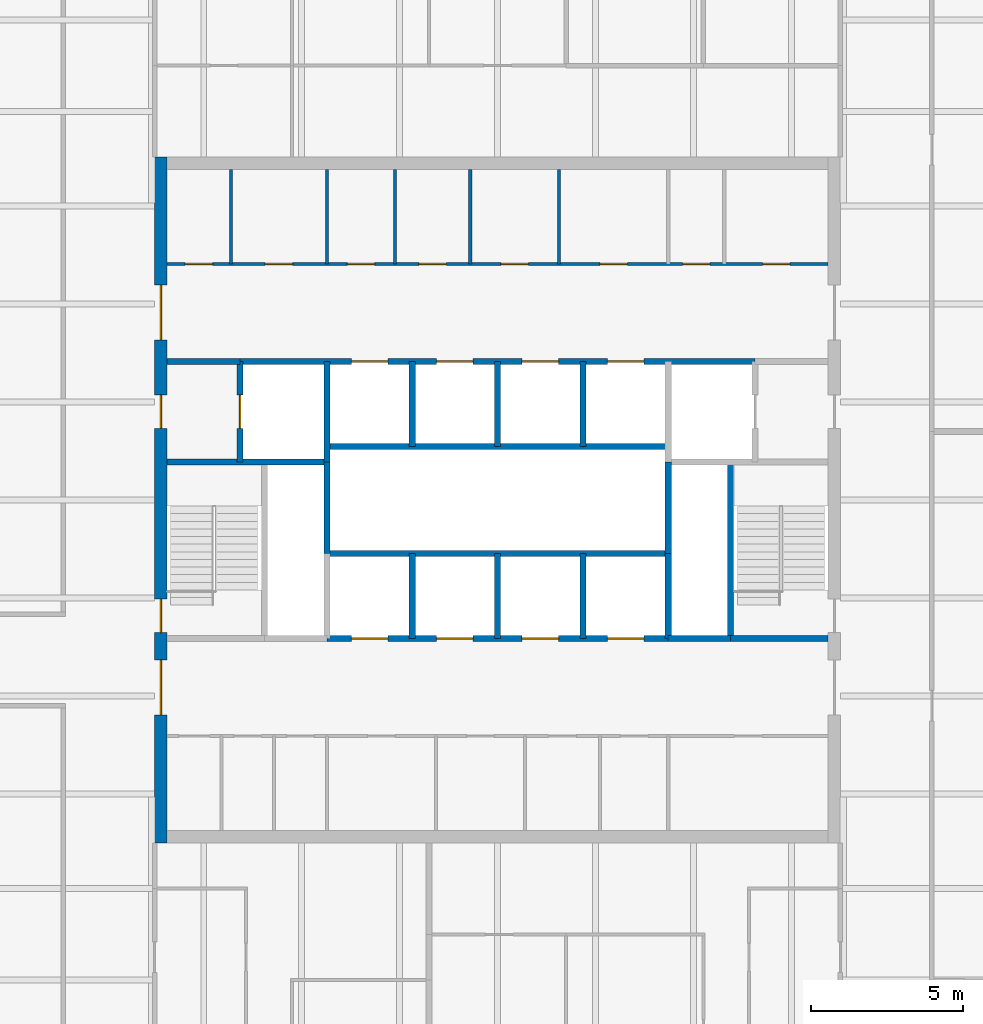
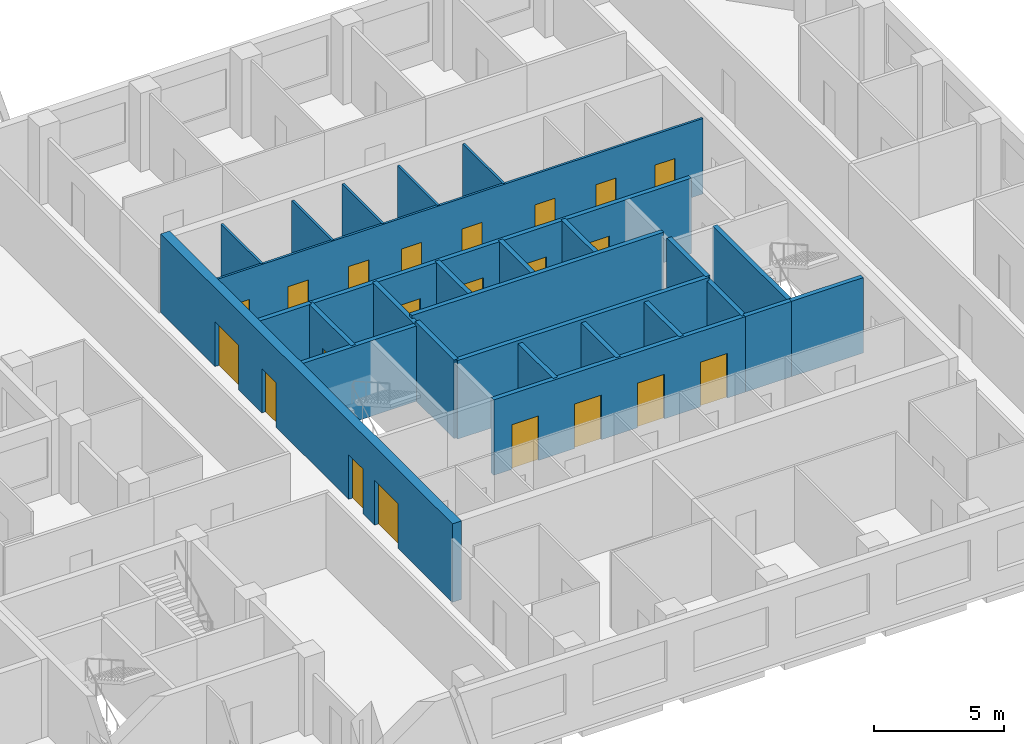
# One storey, part 6 of 10: 27 walls, 21 doors, 21 openings.
"""IFC4 building model written with IfcOpenShell, lengths in metres."""

from ifc_helpers import new_model, si_unit, direction, frame, frame_2d, origin, place, context, subcontext, project, spatial, rectangle, extrude, material, layer, layer_set, type_object, element, fill, save


model = new_model("IFC4")

# Units and contexts
model_context = context("Model", 3, precision=1e-05, world=origin(), true_north=direction((0.0, 1.0)))
body_context = subcontext(model_context, "Body", "Model", "MODEL_VIEW")
ifc_project = project(units=[si_unit("LENGTHUNIT", "METRE"), si_unit("AREAUNIT", "SQUARE_METRE"), si_unit("VOLUMEUNIT", "CUBIC_METRE"), si_unit("PLANEANGLEUNIT", "RADIAN"), si_unit("MASSUNIT", "GRAM", prefix="KILO")], contexts=[model_context])

# Site, building, storey
site_placement = place(None, origin())
site = spatial("IfcSite", under=ifc_project, at=site_placement, CompositionType="ELEMENT")
building_placement = place(site_placement, origin())
building = spatial("IfcBuilding", under=site, at=building_placement, Name="Quoin Convention Tower", CompositionType="ELEMENT")
storey_placement = place(building_placement, frame((0.0, 0.0, 234.10009765625)))
storey = spatial("IfcBuildingStorey", under=building, at=storey_placement, Name="L61", CompositionType="ELEMENT", Elevation=234.10009765625)

# Wall, openings, doors
ifc_material_1 = material(Name="Plasterboard")
ifc_layer_1 = layer(ifc_material_1, 0.012451171875, Name="Finish")
ifc_material_2 = material(Name="Steel stud framing", Category="steel")
ifc_layer_2 = layer(ifc_material_2, 0.074951171875, Name="Structure")
ifc_layer_3 = layer(ifc_material_1, 0.012451171875, Name="Finish")
ifc_layer_set_1 = layer_set([ifc_layer_1, ifc_layer_2, ifc_layer_3], Name="Steel stud framing")
wall_type_1 = type_object("IfcWallType", Name="Core partition wall", PredefinedType="PARTITIONING", material=ifc_layer_set_1)
wall_1_placement = place(storey_placement, frame((45.39990234375, 68.5, 0.0), z_axis=(0.0, 0.0, 1.0), x_axis=(1.0, 0.0, 0.0)))
wall_1 = element("IfcWall", 1, at=wall_1_placement, inside=storey, type_object=wall_type_1, Name="cr-C1-L61-h19000_400", PredefinedType="PARTITIONING", context=body_context, shape_type="SweptSolid", body=[
    extrude(rectangle(XDim=21.7001953125, YDim=0.10009765625, at=frame_2d((10.85009765625, 0.0))), origin(), (0.0, 0.0, 1.0), 3.5498046875),
])
opening_1_placement = place(wall_1_placement, frame((19.543701171875, 0.0, 0.0)))
opening_1 = element("IfcOpeningElement", 2, at=opening_1_placement, cuts=wall_1, Name="Opening DCV3-14", PredefinedType="OPENING", context=body_context, shape_type="SweptSolid", body=[
    extrude(rectangle(XDim=0.89990234375, YDim=2.10009765625, at=frame_2d((0.449951171875, 1.050048828125))), frame((0.0, 0.06005859375, 0.0), z_axis=(0.0, -1.0, 0.0), x_axis=(1.0, 0.0, 0.0)), (0.0, 0.0, 1.0), 0.1201171875),
])
opening_2_placement = place(wall_1_placement, frame((16.918701171875, 0.0, 0.0)))
opening_2 = element("IfcOpeningElement", 3, at=opening_2_placement, cuts=wall_1, Name="Opening DCV3-13", PredefinedType="OPENING", context=body_context, shape_type="SweptSolid", body=[
    extrude(rectangle(XDim=0.89990234375, YDim=2.10009765625, at=frame_2d((0.449951171875, 1.050048828125))), frame((0.0, 0.06005859375, 0.0), z_axis=(0.0, -1.0, 0.0), x_axis=(1.0, 0.0, 0.0)), (0.0, 0.0, 1.0), 0.1201171875),
])
opening_3_placement = place(wall_1_placement, frame((0.60009765625, 0.0, 0.0)))
opening_3 = element("IfcOpeningElement", 4, at=opening_3_placement, cuts=wall_1, Name="Opening DCV3-05", PredefinedType="OPENING", context=body_context, shape_type="SweptSolid", body=[
    extrude(rectangle(XDim=0.89990234375, YDim=2.10009765625, at=frame_2d((0.449951171875, 1.050048828125))), frame((0.0, 0.06005859375, 0.0), z_axis=(0.0, -1.0, 0.0), x_axis=(1.0, 0.0, 0.0)), (0.0, 0.0, 1.0), 0.1201171875),
])
opening_4_placement = place(wall_1_placement, frame((3.22509765625, 0.0, 0.0)))
opening_4 = element("IfcOpeningElement", 5, at=opening_4_placement, cuts=wall_1, Name="Opening DCV3-06", PredefinedType="OPENING", context=body_context, shape_type="SweptSolid", body=[
    extrude(rectangle(XDim=0.89990234375, YDim=2.10009765625, at=frame_2d((0.449951171875, 1.050048828125))), frame((0.0, 0.06005859375, 0.0), z_axis=(0.0, -1.0, 0.0), x_axis=(1.0, 0.0, 0.0)), (0.0, 0.0, 1.0), 0.1201171875),
])
opening_5_placement = place(wall_1_placement, frame((14.2080078125, 0.0, 0.0)))
opening_5 = element("IfcOpeningElement", 6, at=opening_5_placement, cuts=wall_1, Name="Opening DCV3-12", PredefinedType="OPENING", context=body_context, shape_type="SweptSolid", body=[
    extrude(rectangle(XDim=0.89990234375, YDim=2.10009765625, at=frame_2d((0.449951171875, 1.050048828125))), frame((0.0, 0.06005859375, 0.0), z_axis=(0.0, -1.0, 0.0), x_axis=(1.0, 0.0, 0.0)), (0.0, 0.0, 1.0), 0.1201171875),
])
opening_6_placement = place(wall_1_placement, frame((10.9599609375, 0.0, 0.0)))
opening_6 = element("IfcOpeningElement", 7, at=opening_6_placement, cuts=wall_1, Name="Opening DCV3-10", PredefinedType="OPENING", context=body_context, shape_type="SweptSolid", body=[
    extrude(rectangle(XDim=0.89990234375, YDim=2.10009765625, at=frame_2d((0.449951171875, 1.050048828125))), frame((0.0, 0.06005859375, 0.0), z_axis=(0.0, -1.0, 0.0), x_axis=(1.0, 0.0, 0.0)), (0.0, 0.0, 1.0), 0.1201171875),
])
opening_7_placement = place(wall_1_placement, frame((8.27197265625, 0.0, 0.0)))
opening_7 = element("IfcOpeningElement", 8, at=opening_7_placement, cuts=wall_1, Name="Opening DCV3-09", PredefinedType="OPENING", context=body_context, shape_type="SweptSolid", body=[
    extrude(rectangle(XDim=0.89990234375, YDim=2.10009765625, at=frame_2d((0.449951171875, 1.050048828125))), frame((0.0, 0.06005859375, 0.0), z_axis=(0.0, -1.0, 0.0), x_axis=(1.0, 0.0, 0.0)), (0.0, 0.0, 1.0), 0.1201171875),
])
opening_8_placement = place(wall_1_placement, frame((5.919921875, 0.0, 0.0)))
opening_8 = element("IfcOpeningElement", 9, at=opening_8_placement, cuts=wall_1, Name="Opening DCV3-07", PredefinedType="OPENING", context=body_context, shape_type="SweptSolid", body=[
    extrude(rectangle(XDim=0.89990234375, YDim=2.10009765625, at=frame_2d((0.449951171875, 1.050048828125))), frame((0.0, 0.06005859375, 0.0), z_axis=(0.0, -1.0, 0.0), x_axis=(1.0, 0.0, 0.0)), (0.0, 0.0, 1.0), 0.1201171875),
])
ifc_material_3 = material(Name="Steel door leaf", Category="steel")
door_type_1 = type_object("IfcDoorType", Name="Core room door 900 x 2100", OperationType="SINGLE_SWING_LEFT", PredefinedType="DOOR", material=ifc_material_3)
door_1_placement = place(opening_1_placement, origin())
door_1 = element("IfcDoor", 10, at=door_1_placement, inside=storey, type_object=door_type_1, Name="cd-C1-L61-CNE0-lobB-CD6107", OperationType="SINGLE_SWING_LEFT", OverallHeight=2.10009765625, OverallWidth=0.89990234375, PredefinedType="DOOR", context=body_context, shape_type="SweptSolid", body=[
    extrude(rectangle(XDim=0.89990234375, YDim=2.10009765625, at=frame_2d((0.449951171875, 1.050048828125))), frame((0.0, 0.02490234375, 0.0), z_axis=(0.0, -1.0, 0.0), x_axis=(1.0, 0.0, 0.0)), (0.0, 0.0, 1.0), 0.050048828125),
])
fill(opening_1, door_1)
door_2_placement = place(opening_2_placement, origin())
door_2 = element("IfcDoor", 11, at=door_2_placement, inside=storey, type_object=door_type_1, Name="cd-C1-L61-CNE1-lobB-CD6108", OperationType="SINGLE_SWING_RIGHT", OverallHeight=2.10009765625, OverallWidth=0.89990234375, PredefinedType="DOOR", context=body_context, shape_type="SweptSolid", body=[
    extrude(rectangle(XDim=0.89990234375, YDim=2.10009765625, at=frame_2d((0.449951171875, 1.050048828125))), frame((0.0, 0.02490234375, 0.0), z_axis=(0.0, -1.0, 0.0), x_axis=(1.0, 0.0, 0.0)), (0.0, 0.0, 1.0), 0.050048828125),
])
fill(opening_2, door_2)
door_3_placement = place(opening_3_placement, origin())
door_3 = element("IfcDoor", 12, at=door_3_placement, inside=storey, type_object=door_type_1, Name="cd-C1-L61-CNW0-lobB-CD6109", OperationType="SINGLE_SWING_RIGHT", OverallHeight=2.10009765625, OverallWidth=0.89990234375, PredefinedType="DOOR", context=body_context, shape_type="SweptSolid", body=[
    extrude(rectangle(XDim=0.89990234375, YDim=2.10009765625, at=frame_2d((0.449951171875, 1.050048828125))), frame((0.0, 0.02490234375, 0.0), z_axis=(0.0, -1.0, 0.0), x_axis=(1.0, 0.0, 0.0)), (0.0, 0.0, 1.0), 0.050048828125),
])
fill(opening_3, door_3)
door_4_placement = place(opening_4_placement, origin())
door_4 = element("IfcDoor", 13, at=door_4_placement, inside=storey, type_object=door_type_1, Name="cd-C1-L61-CNW1-lobB-CD6110", OperationType="SINGLE_SWING_RIGHT", OverallHeight=2.10009765625, OverallWidth=0.89990234375, PredefinedType="DOOR", context=body_context, shape_type="SweptSolid", body=[
    extrude(rectangle(XDim=0.89990234375, YDim=2.10009765625, at=frame_2d((0.449951171875, 1.050048828125))), frame((0.0, 0.02490234375, 0.0), z_axis=(0.0, -1.0, 0.0), x_axis=(1.0, 0.0, 0.0)), (0.0, 0.0, 1.0), 0.050048828125),
])
fill(opening_4, door_4)
door_5_placement = place(opening_5_placement, origin())
door_5 = element("IfcDoor", 14, at=door_5_placement, inside=storey, type_object=door_type_1, Name="cd-C1-L61-F40-lobB-CD6119", OperationType="SINGLE_SWING_RIGHT", OverallHeight=2.10009765625, OverallWidth=0.89990234375, PredefinedType="DOOR", context=body_context, shape_type="SweptSolid", body=[
    extrude(rectangle(XDim=0.89990234375, YDim=2.10009765625, at=frame_2d((0.449951171875, 1.050048828125))), frame((0.0, 0.02490234375, 0.0), z_axis=(0.0, -1.0, 0.0), x_axis=(1.0, 0.0, 0.0)), (0.0, 0.0, 1.0), 0.050048828125),
])
fill(opening_5, door_5)
door_6_placement = place(opening_6_placement, origin())
door_6 = element("IfcDoor", 15, at=door_6_placement, inside=storey, type_object=door_type_1, Name="cd-C1-L61-F41-lobB-CD6120", OperationType="SINGLE_SWING_RIGHT", OverallHeight=2.10009765625, OverallWidth=0.89990234375, PredefinedType="DOOR", context=body_context, shape_type="SweptSolid", body=[
    extrude(rectangle(XDim=0.89990234375, YDim=2.10009765625, at=frame_2d((0.449951171875, 1.050048828125))), frame((0.0, 0.02490234375, 0.0), z_axis=(0.0, -1.0, 0.0), x_axis=(1.0, 0.0, 0.0)), (0.0, 0.0, 1.0), 0.050048828125),
])
fill(opening_6, door_6)
door_7_placement = place(opening_7_placement, origin())
door_7 = element("IfcDoor", 16, at=door_7_placement, inside=storey, type_object=door_type_1, Name="cd-C1-L61-F42-lobB-CD6121", OperationType="SINGLE_SWING_RIGHT", OverallHeight=2.10009765625, OverallWidth=0.89990234375, PredefinedType="DOOR", context=body_context, shape_type="SweptSolid", body=[
    extrude(rectangle(XDim=0.89990234375, YDim=2.10009765625, at=frame_2d((0.449951171875, 1.050048828125))), frame((0.0, 0.02490234375, 0.0), z_axis=(0.0, -1.0, 0.0), x_axis=(1.0, 0.0, 0.0)), (0.0, 0.0, 1.0), 0.050048828125),
])
fill(opening_7, door_7)
door_8_placement = place(opening_8_placement, origin())
door_8 = element("IfcDoor", 17, at=door_8_placement, inside=storey, type_object=door_type_1, Name="cd-C1-L61-F43-lobB-CD6122", OperationType="SINGLE_SWING_RIGHT", OverallHeight=2.10009765625, OverallWidth=0.89990234375, PredefinedType="DOOR", context=body_context, shape_type="SweptSolid", body=[
    extrude(rectangle(XDim=0.89990234375, YDim=2.10009765625, at=frame_2d((0.449951171875, 1.050048828125))), frame((0.0, 0.02490234375, 0.0), z_axis=(0.0, -1.0, 0.0), x_axis=(1.0, 0.0, 0.0)), (0.0, 0.0, 1.0), 0.050048828125),
])
fill(opening_8, door_8)

# Walls
for number, where, z_axis, x_axis, name in (
    (18, (47.5, 68.5, 0.0), (0.0, 0.0, 1.0), (0.0, 1.0, 0.0), "cr-C1-L61-v2500_19000"),
    (19, (50.64990234375, 68.5, 0.0), (0.0, 0.0, 1.0), (0.0, 1.0, 0.0), "cr-C1-L61-v5650_19000"),
    (20, (52.889892578125, 68.5, 0.0), (0.0, 0.0, 1.0), (0.0, 1.0, 0.0), "cr-C1-L61-v7890_19000"),
    (21, (55.35400390625, 68.5, 0.0), (0.0, 0.0, 1.0), (0.0, 1.0, 0.0), "cr-C1-L61-v10354_19000"),
    (22, (58.26611328125, 68.5, 0.0), (0.0, 0.0, 1.0), (0.0, 1.0, 0.0), "cr-C1-L61-v13266_19000"),
):
    element("IfcWall", number, at=place(storey_placement, frame(where, z_axis=z_axis, x_axis=x_axis)), inside=storey, type_object=wall_type_1, Name=name, PredefinedType="PARTITIONING", context=body_context, shape_type="SweptSolid", body=[
        extrude(rectangle(XDim=3.10009765625, YDim=0.10009765625, at=frame_2d((1.550048828125, 0.0))), origin(), (0.0, 0.0, 1.0), 3.5498046875),
    ])
ifc_material_4 = material(Name="Concrete C50", Category="concrete")
ifc_layer_4 = layer(ifc_material_4, 0.199951171875)
ifc_layer_set_2 = layer_set([ifc_layer_4], Name="Concrete C50")
wall_type_2 = type_object("IfcWallType", Name="Core shaft wall", PredefinedType="SOLIDWALL", material=ifc_layer_set_2)
wall_2_placement = place(storey_placement, frame((61.85009765625, 56.199951171875, 0.0), z_axis=(0.0, 0.0, 1.0), x_axis=(1.0, 0.0, 0.0)))
element("IfcWall", 23, at=wall_2_placement, inside=storey, type_object=wall_type_2, Name="cr-C1-L61-h6700_16850", PredefinedType="SOLIDWALL", context=body_context, shape_type="SweptSolid", body=[
    extrude(rectangle(XDim=2.0498046875, YDim=0.199951171875, at=frame_2d((1.02490234375, 0.0))), origin(), (0.0, 0.0, 1.0), 3.5498046875),
])

# Wall, openings, doors
wall_3_placement = place(storey_placement, frame((50.64990234375, 56.199951171875, 0.0), z_axis=(0.0, 0.0, 1.0), x_axis=(1.0, 0.0, 0.0)))
wall_3 = element("IfcWall", 24, at=wall_3_placement, inside=storey, type_object=wall_type_2, Name="cr-C1-L61-h6700_5650", PredefinedType="SOLIDWALL", context=body_context, shape_type="SweptSolid", body=[
    extrude(rectangle(XDim=11.2001953125, YDim=0.199951171875, at=frame_2d((5.60009765625, 0.0))), origin(), (0.0, 0.0, 1.0), 3.5498046875),
])
opening_9_placement = place(wall_3_placement, frame((0.800048828125, 0.0, 0.0)))
opening_9 = element("IfcOpeningElement", 25, at=opening_9_placement, cuts=wall_3, Name="Opening LDH1", PredefinedType="OPENING", context=body_context, shape_type="SweptSolid", body=[
    extrude(rectangle(XDim=1.199951171875, YDim=2.10009765625, at=frame_2d((0.60009765625, 1.050048828125))), frame((0.0, 0.10986328125, 0.0), z_axis=(0.0, -1.0, 0.0), x_axis=(1.0, 0.0, 0.0)), (0.0, 0.0, 1.0), 0.219970703125),
])
opening_10_placement = place(wall_3_placement, frame((3.60009765625, 0.0, 0.0)))
opening_10 = element("IfcOpeningElement", 26, at=opening_10_placement, cuts=wall_3, Name="Opening LDH2", PredefinedType="OPENING", context=body_context, shape_type="SweptSolid", body=[
    extrude(rectangle(XDim=1.199951171875, YDim=2.10009765625, at=frame_2d((0.60009765625, 1.050048828125))), frame((0.0, 0.10986328125, 0.0), z_axis=(0.0, -1.0, 0.0), x_axis=(1.0, 0.0, 0.0)), (0.0, 0.0, 1.0), 0.219970703125),
])
opening_11_placement = place(wall_3_placement, frame((6.39990234375, 0.0, 0.0)))
opening_11 = element("IfcOpeningElement", 27, at=opening_11_placement, cuts=wall_3, Name="Opening LDH3", PredefinedType="OPENING", context=body_context, shape_type="SweptSolid", body=[
    extrude(rectangle(XDim=1.199951171875, YDim=2.10009765625, at=frame_2d((0.60009765625, 1.050048828125))), frame((0.0, 0.10986328125, 0.0), z_axis=(0.0, -1.0, 0.0), x_axis=(1.0, 0.0, 0.0)), (0.0, 0.0, 1.0), 0.219970703125),
])
opening_12_placement = place(wall_3_placement, frame((9.199951171875, 0.0, 0.0)))
opening_12 = element("IfcOpeningElement", 28, at=opening_12_placement, cuts=wall_3, Name="Opening LDH4", PredefinedType="OPENING", context=body_context, shape_type="SweptSolid", body=[
    extrude(rectangle(XDim=1.199951171875, YDim=2.10009765625, at=frame_2d((0.60009765625, 1.050048828125))), frame((0.0, 0.10986328125, 0.0), z_axis=(0.0, -1.0, 0.0), x_axis=(1.0, 0.0, 0.0)), (0.0, 0.0, 1.0), 0.219970703125),
])
door_type_2 = type_object("IfcDoorType", Name="Lift landing door 1200 x 2100", OperationType="DOUBLE_DOOR_SLIDING", PredefinedType="DOOR", material=ifc_material_3)
door_9_placement = place(opening_9_placement, origin())
door_9 = element("IfcDoor", 29, at=door_9_placement, inside=storey, type_object=door_type_2, Name="cd-C1-L61-R20-lobA-LDH1", OperationType="DOUBLE_DOOR_SLIDING", OverallHeight=2.10009765625, OverallWidth=1.199951171875, PredefinedType="DOOR", context=body_context, shape_type="SweptSolid", body=[
    extrude(rectangle(XDim=1.199951171875, YDim=2.10009765625, at=frame_2d((0.60009765625, 1.050048828125))), frame((0.0, 0.02490234375, 0.0), z_axis=(0.0, -1.0, 0.0), x_axis=(1.0, 0.0, 0.0)), (0.0, 0.0, 1.0), 0.050048828125),
])
fill(opening_9, door_9)
door_10_placement = place(opening_10_placement, origin())
door_10 = element("IfcDoor", 30, at=door_10_placement, inside=storey, type_object=door_type_2, Name="cd-C1-L61-R21-lobA-LDH2", OperationType="DOUBLE_DOOR_SLIDING", OverallHeight=2.10009765625, OverallWidth=1.199951171875, PredefinedType="DOOR", context=body_context, shape_type="SweptSolid", body=[
    extrude(rectangle(XDim=1.199951171875, YDim=2.10009765625, at=frame_2d((0.60009765625, 1.050048828125))), frame((0.0, 0.02490234375, 0.0), z_axis=(0.0, -1.0, 0.0), x_axis=(1.0, 0.0, 0.0)), (0.0, 0.0, 1.0), 0.050048828125),
])
fill(opening_10, door_10)
door_11_placement = place(opening_11_placement, origin())
door_11 = element("IfcDoor", 31, at=door_11_placement, inside=storey, type_object=door_type_2, Name="cd-C1-L61-R22-lobA-LDH3", OperationType="DOUBLE_DOOR_SLIDING", OverallHeight=2.10009765625, OverallWidth=1.199951171875, PredefinedType="DOOR", context=body_context, shape_type="SweptSolid", body=[
    extrude(rectangle(XDim=1.199951171875, YDim=2.10009765625, at=frame_2d((0.60009765625, 1.050048828125))), frame((0.0, 0.02490234375, 0.0), z_axis=(0.0, -1.0, 0.0), x_axis=(1.0, 0.0, 0.0)), (0.0, 0.0, 1.0), 0.050048828125),
])
fill(opening_11, door_11)
door_12_placement = place(opening_12_placement, origin())
door_12 = element("IfcDoor", 32, at=door_12_placement, inside=storey, type_object=door_type_2, Name="cd-C1-L61-R23-lobA-LDH4", OperationType="DOUBLE_DOOR_SLIDING", OverallHeight=2.10009765625, OverallWidth=1.199951171875, PredefinedType="DOOR", context=body_context, shape_type="SweptSolid", body=[
    extrude(rectangle(XDim=1.199951171875, YDim=2.10009765625, at=frame_2d((0.60009765625, 1.050048828125))), frame((0.0, 0.02490234375, 0.0), z_axis=(0.0, -1.0, 0.0), x_axis=(1.0, 0.0, 0.0)), (0.0, 0.0, 1.0), 0.050048828125),
])
fill(opening_12, door_12)

# Walls
wall_4_placement = place(storey_placement, frame((63.89990234375, 56.199951171875, 0.0), z_axis=(0.0, 0.0, 1.0), x_axis=(1.0, 0.0, 0.0)))
element("IfcWall", 33, at=wall_4_placement, inside=storey, type_object=wall_type_2, Name="cr-C1-L61-h6700_18900", PredefinedType="SOLIDWALL", context=body_context, shape_type="SweptSolid", body=[
    extrude(rectangle(XDim=3.2001953125, YDim=0.199951171875, at=frame_2d((1.60009765625, 0.0))), origin(), (0.0, 0.0, 1.0), 3.5498046875),
])
wall_5_placement = place(storey_placement, frame((45.39990234375, 62.0, 0.0), z_axis=(0.0, 0.0, 1.0), x_axis=(1.0, 0.0, 0.0)))
element("IfcWall", 34, at=wall_5_placement, inside=storey, type_object=wall_type_2, Name="cr-C1-L61-h12500_400", PredefinedType="SOLIDWALL", context=body_context, shape_type="SweptSolid", body=[
    extrude(rectangle(XDim=5.25, YDim=0.199951171875, at=frame_2d((2.625, 0.0))), origin(), (0.0, 0.0, 1.0), 3.5498046875),
])
wall_6_placement = place(storey_placement, frame((45.39990234375, 65.300048828125, 0.0), z_axis=(0.0, 0.0, 1.0), x_axis=(1.0, 0.0, 0.0)))
element("IfcWall", 35, at=wall_6_placement, inside=storey, type_object=wall_type_2, Name="cr-C1-L61-h15800_400", PredefinedType="SOLIDWALL", context=body_context, shape_type="SweptSolid", body=[
    extrude(rectangle(XDim=2.400146484375, YDim=0.199951171875, at=frame_2d((1.2001953125, 0.0))), origin(), (0.0, 0.0, 1.0), 3.5498046875),
])

# Wall, openings, doors
wall_7_placement = place(storey_placement, frame((47.800048828125, 65.300048828125, 0.0), z_axis=(0.0, 0.0, 1.0), x_axis=(1.0, 0.0, 0.0)))
wall_7 = element("IfcWall", 36, at=wall_7_placement, inside=storey, type_object=wall_type_2, Name="cr-C1-L61-h15800_2800", PredefinedType="SOLIDWALL", context=body_context, shape_type="SweptSolid", body=[
    extrude(rectangle(XDim=16.89990234375, YDim=0.199951171875, at=frame_2d((8.449951171875, 0.0))), origin(), (0.0, 0.0, 1.0), 3.5498046875),
])
opening_13_placement = place(wall_7_placement, frame((3.64990234375, 0.0, 0.0)))
opening_13 = element("IfcOpeningElement", 37, at=opening_13_placement, cuts=wall_7, Name="Opening LDH5", PredefinedType="OPENING", context=body_context, shape_type="SweptSolid", body=[
    extrude(rectangle(XDim=1.199951171875, YDim=2.10009765625, at=frame_2d((0.60009765625, 1.050048828125))), frame((0.0, 0.10986328125, 0.0), z_axis=(0.0, -1.0, 0.0), x_axis=(1.0, 0.0, 0.0)), (0.0, 0.0, 1.0), 0.219970703125),
])
opening_14_placement = place(wall_7_placement, frame((6.449951171875, 0.0, 0.0)))
opening_14 = element("IfcOpeningElement", 38, at=opening_14_placement, cuts=wall_7, Name="Opening LDH6", PredefinedType="OPENING", context=body_context, shape_type="SweptSolid", body=[
    extrude(rectangle(XDim=1.199951171875, YDim=2.10009765625, at=frame_2d((0.60009765625, 1.050048828125))), frame((0.0, 0.10986328125, 0.0), z_axis=(0.0, -1.0, 0.0), x_axis=(1.0, 0.0, 0.0)), (0.0, 0.0, 1.0), 0.219970703125),
])
opening_15_placement = place(wall_7_placement, frame((9.25, 0.0, 0.0)))
opening_15 = element("IfcOpeningElement", 39, at=opening_15_placement, cuts=wall_7, Name="Opening LDH7", PredefinedType="OPENING", context=body_context, shape_type="SweptSolid", body=[
    extrude(rectangle(XDim=1.199951171875, YDim=2.10009765625, at=frame_2d((0.60009765625, 1.050048828125))), frame((0.0, 0.10986328125, 0.0), z_axis=(0.0, -1.0, 0.0), x_axis=(1.0, 0.0, 0.0)), (0.0, 0.0, 1.0), 0.219970703125),
])
opening_16_placement = place(wall_7_placement, frame((12.050048828125, 0.0, 0.0)))
opening_16 = element("IfcOpeningElement", 40, at=opening_16_placement, cuts=wall_7, Name="Opening LDH8", PredefinedType="OPENING", context=body_context, shape_type="SweptSolid", body=[
    extrude(rectangle(XDim=1.199951171875, YDim=2.10009765625, at=frame_2d((0.60009765625, 1.050048828125))), frame((0.0, 0.10986328125, 0.0), z_axis=(0.0, -1.0, 0.0), x_axis=(1.0, 0.0, 0.0)), (0.0, 0.0, 1.0), 0.219970703125),
])
door_13_placement = place(opening_13_placement, origin())
door_13 = element("IfcDoor", 41, at=door_13_placement, inside=storey, type_object=door_type_2, Name="cd-C1-L61-R30-lobB-LDH5", OperationType="DOUBLE_DOOR_SLIDING", OverallHeight=2.10009765625, OverallWidth=1.199951171875, PredefinedType="DOOR", context=body_context, shape_type="SweptSolid", body=[
    extrude(rectangle(XDim=1.199951171875, YDim=2.10009765625, at=frame_2d((0.60009765625, 1.050048828125))), frame((0.0, 0.02490234375, 0.0), z_axis=(0.0, -1.0, 0.0), x_axis=(1.0, 0.0, 0.0)), (0.0, 0.0, 1.0), 0.050048828125),
])
fill(opening_13, door_13)
door_14_placement = place(opening_14_placement, origin())
door_14 = element("IfcDoor", 42, at=door_14_placement, inside=storey, type_object=door_type_2, Name="cd-C1-L61-R31-lobB-LDH6", OperationType="DOUBLE_DOOR_SLIDING", OverallHeight=2.10009765625, OverallWidth=1.199951171875, PredefinedType="DOOR", context=body_context, shape_type="SweptSolid", body=[
    extrude(rectangle(XDim=1.199951171875, YDim=2.10009765625, at=frame_2d((0.60009765625, 1.050048828125))), frame((0.0, 0.02490234375, 0.0), z_axis=(0.0, -1.0, 0.0), x_axis=(1.0, 0.0, 0.0)), (0.0, 0.0, 1.0), 0.050048828125),
])
fill(opening_14, door_14)
door_15_placement = place(opening_15_placement, origin())
door_15 = element("IfcDoor", 43, at=door_15_placement, inside=storey, type_object=door_type_2, Name="cd-C1-L61-R32-lobB-LDH7", OperationType="DOUBLE_DOOR_SLIDING", OverallHeight=2.10009765625, OverallWidth=1.199951171875, PredefinedType="DOOR", context=body_context, shape_type="SweptSolid", body=[
    extrude(rectangle(XDim=1.199951171875, YDim=2.10009765625, at=frame_2d((0.60009765625, 1.050048828125))), frame((0.0, 0.02490234375, 0.0), z_axis=(0.0, -1.0, 0.0), x_axis=(1.0, 0.0, 0.0)), (0.0, 0.0, 1.0), 0.050048828125),
])
fill(opening_15, door_15)
door_16_placement = place(opening_16_placement, origin())
door_16 = element("IfcDoor", 44, at=door_16_placement, inside=storey, type_object=door_type_2, Name="cd-C1-L61-R33-lobB-LDH8", OperationType="DOUBLE_DOOR_SLIDING", OverallHeight=2.10009765625, OverallWidth=1.199951171875, PredefinedType="DOOR", context=body_context, shape_type="SweptSolid", body=[
    extrude(rectangle(XDim=1.199951171875, YDim=2.10009765625, at=frame_2d((0.60009765625, 1.050048828125))), frame((0.0, 0.02490234375, 0.0), z_axis=(0.0, -1.0, 0.0), x_axis=(1.0, 0.0, 0.0)), (0.0, 0.0, 1.0), 0.050048828125),
])
fill(opening_16, door_16)

# Wall, opening, door
wall_8_placement = place(storey_placement, frame((47.800048828125, 62.0, 0.0), z_axis=(0.0, 0.0, 1.0), x_axis=(0.0, 1.0, 0.0)))
wall_8 = element("IfcWall", 45, at=wall_8_placement, inside=storey, type_object=wall_type_2, Name="cr-C1-L61-v2800_12500", PredefinedType="SOLIDWALL", context=body_context, shape_type="SweptSolid", body=[
    extrude(rectangle(XDim=3.300048828125, YDim=0.199951171875, at=frame_2d((1.64990234375, 0.0))), origin(), (0.0, 0.0, 1.0), 3.5498046875),
])
opening_17_placement = place(wall_8_placement, frame((1.10009765625, 0.0, 0.0)))
opening_17 = element("IfcOpeningElement", 46, at=opening_17_placement, cuts=wall_8, Name="Opening LDFL1", PredefinedType="OPENING", context=body_context, shape_type="SweptSolid", body=[
    extrude(rectangle(XDim=1.10009765625, YDim=2.10009765625, at=frame_2d((0.550048828125, 1.050048828125))), frame((0.0, 0.10986328125, 0.0), z_axis=(0.0, -1.0, 0.0), x_axis=(1.0, 0.0, 0.0)), (0.0, 0.0, 1.0), 0.219970703125),
])
door_type_3 = type_object("IfcDoorType", Name="Lift landing door 1100 x 2100", OperationType="DOUBLE_DOOR_SLIDING", PredefinedType="DOOR", material=ifc_material_3)
door_17_placement = place(opening_17_placement, origin())
door_17 = element("IfcDoor", 47, at=door_17_placement, inside=storey, type_object=door_type_3, Name="cd-C1-L61-FLW-FFW-LDFL1", OperationType="DOUBLE_DOOR_SLIDING", OverallHeight=2.10009765625, OverallWidth=1.10009765625, PredefinedType="DOOR", context=body_context, shape_type="SweptSolid", body=[
    extrude(rectangle(XDim=1.10009765625, YDim=2.10009765625, at=frame_2d((0.550048828125, 1.050048828125))), frame((0.0, 0.02490234375, 0.0), z_axis=(0.0, -1.0, 0.0), x_axis=(1.0, 0.0, 0.0)), (0.0, 0.0, 1.0), 0.050048828125),
])
fill(opening_17, door_17)

# Walls
wall_9_placement = place(storey_placement, frame((50.64990234375, 62.0, 0.0), z_axis=(0.0, 0.0, 1.0), x_axis=(0.0, 1.0, 0.0)))
element("IfcWall", 48, at=wall_9_placement, inside=storey, type_object=wall_type_2, Name="cr-C1-L61-v5650_12500", PredefinedType="SOLIDWALL", context=body_context, shape_type="SweptSolid", body=[
    extrude(rectangle(XDim=3.300048828125, YDim=0.199951171875, at=frame_2d((1.64990234375, 0.0))), origin(), (0.0, 0.0, 1.0), 3.5498046875),
])
for number, where, z_axis, x_axis, name in (
    (49, (53.449951171875, 56.199951171875, 0.0), (0.0, 0.0, 1.0), (0.0, 1.0, 0.0), "cr-C1-L61-v8450_6700"),
    (50, (53.449951171875, 62.5, 0.0), (0.0, 0.0, 1.0), (0.0, 1.0, 0.0), "cr-C1-L61-v8450_13000"),
    (51, (56.25, 56.199951171875, 0.0), (0.0, 0.0, 1.0), (0.0, 1.0, 0.0), "cr-C1-L61-v11250_6700"),
    (52, (56.25, 62.5, 0.0), (0.0, 0.0, 1.0), (0.0, 1.0, 0.0), "cr-C1-L61-v11250_13000"),
    (53, (59.050048828125, 56.199951171875, 0.0), (0.0, 0.0, 1.0), (0.0, 1.0, 0.0), "cr-C1-L61-v14050_6700"),
    (54, (59.050048828125, 62.5, 0.0), (0.0, 0.0, 1.0), (0.0, 1.0, 0.0), "cr-C1-L61-v14050_13000"),
    (55, (61.85009765625, 56.199951171875, 0.0), (0.0, 0.0, 1.0), (0.0, 1.0, 0.0), "cr-C1-L61-v16850_6700"),
):
    element("IfcWall", number, at=place(storey_placement, frame(where, z_axis=z_axis, x_axis=x_axis)), inside=storey, type_object=wall_type_2, Name=name, PredefinedType="SOLIDWALL", context=body_context, shape_type="SweptSolid", body=[
        extrude(rectangle(XDim=2.800048828125, YDim=0.199951171875, at=frame_2d((1.39990234375, 0.0))), origin(), (0.0, 0.0, 1.0), 3.5498046875),
    ])
wall_10_placement = place(storey_placement, frame((63.89990234375, 56.199951171875, 0.0), z_axis=(0.0, 0.0, 1.0), x_axis=(0.0, 1.0, 0.0)))
element("IfcWall", 56, at=wall_10_placement, inside=storey, type_object=wall_type_2, Name="cr-C1-L61-v18900_6700", PredefinedType="SOLIDWALL", context=body_context, shape_type="SweptSolid", body=[
    extrude(rectangle(XDim=5.800048828125, YDim=0.199951171875, at=frame_2d((2.89990234375, 0.0))), origin(), (0.0, 0.0, 1.0), 3.5498046875),
])
ifc_layer_5 = layer(ifc_material_4, 0.199951171875)
ifc_layer_set_3 = layer_set([ifc_layer_5], Name="Concrete C50")
wall_type_3 = type_object("IfcWallType", Name="Core shaft wall to the floor level over", PredefinedType="SOLIDWALL", material=ifc_layer_set_3)
for number, where, z_axis, x_axis, name in (
    (57, (50.64990234375, 59.0, 0.0), (0.0, 0.0, 1.0), (1.0, 0.0, 0.0), "cr-C1-L61-h9500_5650"),
    (58, (50.64990234375, 62.5, 0.0), (0.0, 0.0, 1.0), (1.0, 0.0, 0.0), "cr-C1-L61-h13000_5650"),
):
    element("IfcWall", number, at=place(storey_placement, frame(where, z_axis=z_axis, x_axis=x_axis)), inside=storey, type_object=wall_type_3, Name=name, PredefinedType="SOLIDWALL", context=body_context, shape_type="SweptSolid", body=[
        extrude(rectangle(XDim=11.2001953125, YDim=0.199951171875, at=frame_2d((5.60009765625, 0.0))), origin(), (0.0, 0.0, 1.0), 3.699951171875),
    ])
for number, where, z_axis, x_axis, name in (
    (59, (50.64990234375, 59.0, 0.0), (0.0, 0.0, 1.0), (0.0, 1.0, 0.0), "cr-C1-L61-v5650_9500"),
    (60, (61.85009765625, 59.0, 0.0), (0.0, 0.0, 1.0), (0.0, 1.0, 0.0), "cr-C1-L61-v16850_9500"),
):
    element("IfcWall", number, at=place(storey_placement, frame(where, z_axis=z_axis, x_axis=x_axis)), inside=storey, type_object=wall_type_3, Name=name, PredefinedType="SOLIDWALL", context=body_context, shape_type="SweptSolid", body=[
        extrude(rectangle(XDim=3.0, YDim=0.199951171875, at=frame_2d((1.5, 0.0))), origin(), (0.0, 0.0, 1.0), 3.699951171875),
    ])

# Wall, openings, doors
ifc_layer_6 = layer(ifc_material_4, 0.39990234375)
ifc_layer_set_4 = layer_set([ifc_layer_6], Name="Concrete C50")
wall_type_4 = type_object("IfcWallType", Name="RC CORE WALL 400 C50", PredefinedType="SHEAR", material=ifc_layer_set_4)
wall_11_placement = place(storey_placement, frame((45.199951171875, 49.5, 0.0), z_axis=(0.0, 0.0, 1.0), x_axis=(0.0, 1.0, 0.0)))
wall_11 = element("IfcWall", 61, at=wall_11_placement, inside=storey, type_object=wall_type_4, Name="cwl-C1-L61-W", PredefinedType="SHEAR", context=body_context, shape_type="SweptSolid", body=[
    extrude(rectangle(XDim=22.5, YDim=0.39990234375, at=frame_2d((11.25, 0.0))), origin(), (0.0, 0.0, 1.0), 3.699951171875),
])
opening_18_placement = place(wall_11_placement, frame((4.199951171875, 0.0, 0.0)))
opening_18 = element("IfcOpeningElement", 62, at=opening_18_placement, cuts=wall_11, Name="Opening DCV3-40", PredefinedType="OPENING", context=body_context, shape_type="SweptSolid", body=[
    extrude(rectangle(XDim=1.800048828125, YDim=2.10009765625, at=frame_2d((0.89990234375, 1.050048828125))), frame((0.0, 0.2099609375, 0.0), z_axis=(0.0, -1.0, 0.0), x_axis=(1.0, 0.0, 0.0)), (0.0, 0.0, 1.0), 0.419921875),
])
opening_19_placement = place(wall_11_placement, frame((6.89990234375, 0.0, 0.0)))
opening_19 = element("IfcOpeningElement", 63, at=opening_19_placement, cuts=wall_11, Name="Opening SD1", PredefinedType="OPENING", context=body_context, shape_type="SweptSolid", body=[
    extrude(rectangle(XDim=1.10009765625, YDim=2.10009765625, at=frame_2d((0.550048828125, 1.050048828125))), frame((0.0, 0.2099609375, 0.0), z_axis=(0.0, -1.0, 0.0), x_axis=(1.0, 0.0, 0.0)), (0.0, 0.0, 1.0), 0.419921875),
])
opening_20_placement = place(wall_11_placement, frame((13.60009765625, 0.0, 0.0)))
opening_20 = element("IfcOpeningElement", 64, at=opening_20_placement, cuts=wall_11, Name="Opening DCV3-39", PredefinedType="OPENING", context=body_context, shape_type="SweptSolid", body=[
    extrude(rectangle(XDim=1.10009765625, YDim=2.10009765625, at=frame_2d((0.550048828125, 1.050048828125))), frame((0.0, 0.2099609375, 0.0), z_axis=(0.0, -1.0, 0.0), x_axis=(1.0, 0.0, 0.0)), (0.0, 0.0, 1.0), 0.419921875),
])
opening_21_placement = place(wall_11_placement, frame((16.5, 0.0, 0.0)))
opening_21 = element("IfcOpeningElement", 65, at=opening_21_placement, cuts=wall_11, Name="Opening DCV3-40", PredefinedType="OPENING", context=body_context, shape_type="SweptSolid", body=[
    extrude(rectangle(XDim=1.800048828125, YDim=2.10009765625, at=frame_2d((0.89990234375, 1.050048828125))), frame((0.0, 0.2099609375, 0.0), z_axis=(0.0, -1.0, 0.0), x_axis=(1.0, 0.0, 0.0)), (0.0, 0.0, 1.0), 0.419921875),
])
door_type_4 = type_object("IfcDoorType", Name="Fire-fighting lobby door 1100 x 2100", OperationType="SINGLE_SWING_LEFT", PredefinedType="DOOR", material=ifc_material_3)
door_18_placement = place(opening_20_placement, frame((1.10009765625, 0.0, 0.0), z_axis=(0.0, 0.0, 1.0), x_axis=(-1.0, 0.0, 0.0)))
door_18 = element("IfcDoor", 66, at=door_18_placement, inside=storey, type_object=door_type_4, Name="cd-C1-L61-FFW-W", OperationType="SINGLE_SWING_LEFT", OverallHeight=2.10009765625, OverallWidth=1.10009765625, PredefinedType="DOOR", context=body_context, shape_type="SweptSolid", body=[
    extrude(rectangle(XDim=1.10009765625, YDim=2.10009765625, at=frame_2d((0.550048828125, 1.050048828125))), frame((0.0, 0.02490234375, 0.0), z_axis=(0.0, -1.0, 0.0), x_axis=(1.0, 0.0, 0.0)), (0.0, 0.0, 1.0), 0.050048828125),
])
fill(opening_20, door_18)
door_type_5 = type_object("IfcDoorType", Name="Lift lobby door 1800 x 2100", OperationType="SINGLE_SWING_LEFT", PredefinedType="DOOR", material=ifc_material_3)
door_19_placement = place(opening_18_placement, frame((1.800048828125, 0.0, 0.0), z_axis=(0.0, 0.0, 1.0), x_axis=(-1.0, 0.0, 0.0)))
door_19 = element("IfcDoor", 67, at=door_19_placement, inside=storey, type_object=door_type_5, Name="cd-C1-L61-lobA-W", OperationType="SINGLE_SWING_LEFT", OverallHeight=2.10009765625, OverallWidth=1.800048828125, PredefinedType="DOOR", context=body_context, shape_type="SweptSolid", body=[
    extrude(rectangle(XDim=1.800048828125, YDim=2.10009765625, at=frame_2d((0.89990234375, 1.050048828125))), frame((0.0, 0.02490234375, 0.0), z_axis=(0.0, -1.0, 0.0), x_axis=(1.0, 0.0, 0.0)), (0.0, 0.0, 1.0), 0.050048828125),
])
fill(opening_18, door_19)
door_20_placement = place(opening_21_placement, frame((1.800048828125, 0.0, 0.0), z_axis=(0.0, 0.0, 1.0), x_axis=(-1.0, 0.0, 0.0)))
door_20 = element("IfcDoor", 68, at=door_20_placement, inside=storey, type_object=door_type_5, Name="cd-C1-L61-lobB-W", OperationType="SINGLE_SWING_LEFT", OverallHeight=2.10009765625, OverallWidth=1.800048828125, PredefinedType="DOOR", context=body_context, shape_type="SweptSolid", body=[
    extrude(rectangle(XDim=1.800048828125, YDim=2.10009765625, at=frame_2d((0.89990234375, 1.050048828125))), frame((0.0, 0.02490234375, 0.0), z_axis=(0.0, -1.0, 0.0), x_axis=(1.0, 0.0, 0.0)), (0.0, 0.0, 1.0), 0.050048828125),
])
fill(opening_21, door_20)
door_type_6 = type_object("IfcDoorType", Name="Stair door 1100 x 2100", OperationType="SINGLE_SWING_RIGHT", PredefinedType="DOOR", material=ifc_material_3)
door_21_placement = place(opening_19_placement, frame((1.10009765625, 0.0, 0.0), z_axis=(0.0, 0.0, 1.0), x_axis=(-1.0, 0.0, 0.0)))
door_21 = element("IfcDoor", 69, at=door_21_placement, inside=storey, type_object=door_type_6, Name="cd-C1-L61-STW-W", OperationType="SINGLE_SWING_RIGHT", OverallHeight=2.10009765625, OverallWidth=1.10009765625, PredefinedType="DOOR", context=body_context, shape_type="SweptSolid", body=[
    extrude(rectangle(XDim=1.10009765625, YDim=2.10009765625, at=frame_2d((0.550048828125, 1.050048828125))), frame((0.0, 0.02490234375, 0.0), z_axis=(0.0, -1.0, 0.0), x_axis=(1.0, 0.0, 0.0)), (0.0, 0.0, 1.0), 0.050048828125),
])
fill(opening_19, door_21)

save(model, "model.ifc")
